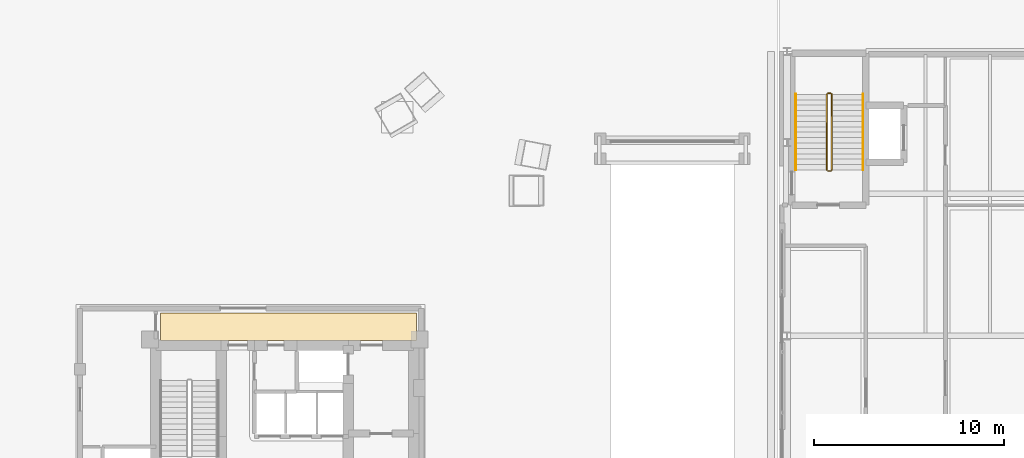
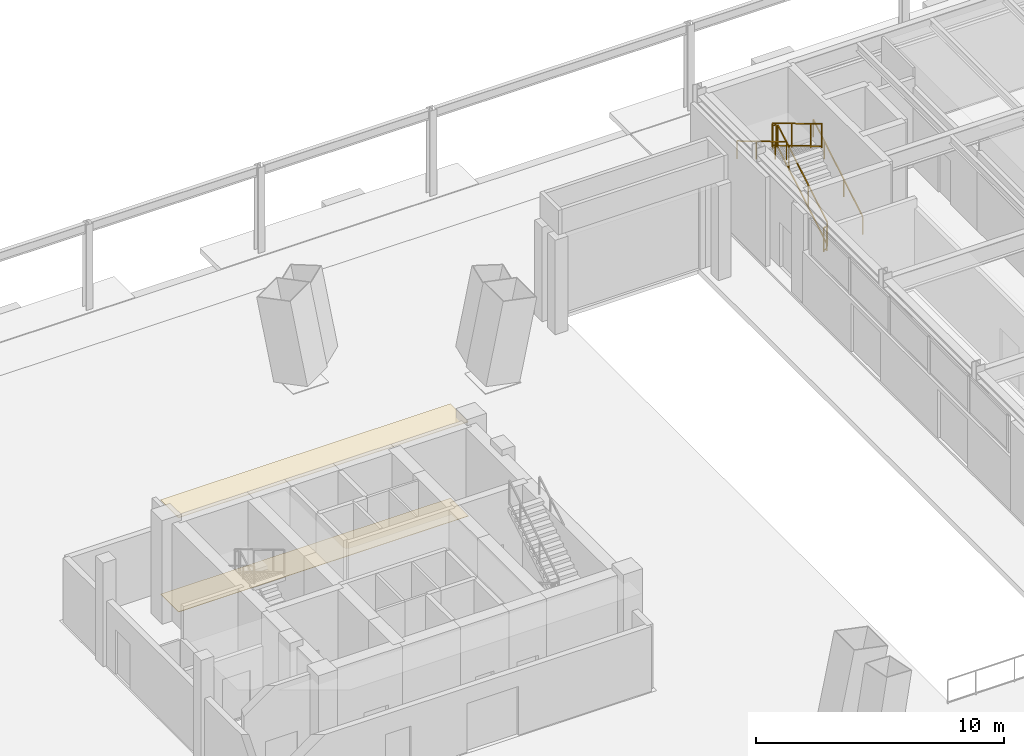
# One storey, part 20 of 21: 6 railings, 2 coverings.
"""IFC4 building model written with IfcOpenShell, lengths in metres."""

from ifc_helpers import new_model, si_unit, direction, frame, origin, origin_2d, place, context, subcontext, project, spatial, polyline, rectangle, outline, extrude, material, layer, layer_set, type_object, element, save


model = new_model("IFC4")

# Units and contexts
model_context = context("Model", 3, precision=1e-05, world=origin(), true_north=direction((0.0, 1.0)))
body_context = subcontext(model_context, "Body", "Model", "MODEL_VIEW")
ifc_project = project(units=[si_unit("LENGTHUNIT", "METRE"), si_unit("AREAUNIT", "SQUARE_METRE"), si_unit("VOLUMEUNIT", "CUBIC_METRE"), si_unit("PLANEANGLEUNIT", "RADIAN"), si_unit("MASSUNIT", "GRAM", prefix="KILO")], contexts=[model_context])

# Site, building, storey
site_placement = place(None, origin())
site = spatial("IfcSite", under=ifc_project, at=site_placement, CompositionType="ELEMENT")
building_placement = place(site_placement, origin())
building = spatial("IfcBuilding", under=site, at=building_placement, Name="Mersakhor Tower and Convention Hall", CompositionType="ELEMENT")
storey_placement = place(building_placement, origin())
storey = spatial("IfcBuildingStorey", under=building, at=storey_placement, Name="L00", CompositionType="ELEMENT", Elevation=0.0)

# Coverings
ifc_material_1 = material(Name="Acoustic mineral-fibre suspended ceiling", Category="other")
ifc_layer_1 = layer(ifc_material_1, 0.02490234375)
ifc_layer_set_1 = layer_set([ifc_layer_1], Name="Acoustic mineral-fibre suspended ceiling")
covering_type_1 = type_object("IfcCoveringType", Name="COV-CLG-25", PredefinedType="CEILING", material=ifc_layer_set_1)
covering_1_placement = place(storey_placement, frame((0.0, 0.0, 4.639892578125)))
element("IfcCovering", 1, at=covering_1_placement, inside=storey, type_object=covering_type_1, Name="L00 Tower North Plaza Entrance Vestibule Acoustic Suspended Ceiling", PredefinedType="CEILING", context=body_context, shape_type="SweptSolid", body=[
    extrude(outline(polyline([(22.449951171875, 34.449951171875), (35.949951171875, 34.449951171875), (35.949951171875, 33.0), (22.449951171875, 33.0), (22.449951171875, 34.449951171875)])), origin(), (0.0, 0.0, 1.0), 0.025146484375),
])
ifc_material_2 = material(Name="Polished porcelain tile flooring", Category="other")
ifc_layer_2 = layer(ifc_material_2, 0.02001953125)
ifc_layer_set_2 = layer_set([ifc_layer_2], Name="Polished porcelain tile flooring")
covering_type_2 = type_object("IfcCoveringType", Name="COV-FLR-20", PredefinedType="FLOORING", material=ifc_layer_set_2)
covering_2_placement = place(storey_placement, origin())
element("IfcCovering", 2, at=covering_2_placement, inside=storey, type_object=covering_type_2, Name="L00 Tower North Plaza Entrance Vestibule Porcelain Floor Finish", PredefinedType="FLOORING", context=body_context, shape_type="SweptSolid", body=[
    extrude(outline(polyline([(22.449951171875, 34.449951171875), (35.949951171875, 34.449951171875), (35.949951171875, 33.0), (22.449951171875, 33.0), (22.449951171875, 34.449951171875)])), origin(), (0.0, 0.0, 1.0), 0.02001953125),
])

# Railings
ifc_material_3 = material(Name="Brushed stainless steel handrail", Category="steel")
railing_type_1 = type_object("IfcRailingType", Name="RL-HR-900", PredefinedType="HANDRAIL", material=ifc_material_3)
railing_1_placement = place(storey_placement, frame((59.5, 42.0, 0.169921875)))
element("IfcRailing", 3, at=railing_1_placement, inside=storey, type_object=railing_type_1, Name="L00 CH-ST2 stair handrail 1", PredefinedType="HANDRAIL", context=body_context, shape_type="SweptSolid", body=[
    extrude(rectangle(XDim=0.048095703125, YDim=0.048095703125, at=origin_2d()), frame((0.0, 0.0, 0.8759765625), z_axis=(0.0, 0.858806931142, 0.512299380267), x_axis=(-1.0, 0.0, 0.0)), (0.0, 0.0, 1.0), 4.64599609375),
    extrude(rectangle(XDim=0.0419921875, YDim=0.0419921875, at=origin_2d()), origin(), (0.0, 0.0, 1.0), 0.851806640625),
    extrude(rectangle(XDim=0.0419921875, YDim=0.0419921875, at=origin_2d()), frame((0.0, 1.5458984375, 0.922119140625)), (0.0, 0.0, 1.0), 0.851806640625),
    extrude(rectangle(XDim=0.0419921875, YDim=0.0419921875, at=origin_2d()), frame((0.0, 3.091796875, 1.84423828125)), (0.0, 0.0, 1.0), 0.851806640625),
    extrude(rectangle(XDim=0.0419921875, YDim=0.0419921875, at=origin_2d()), frame((0.0, 3.989990234375, 2.380126953125)), (0.0, 0.0, 1.0), 0.851806640625),
])
railing_2_placement = place(storey_placement, frame((55.949951171875, 45.989990234375, 2.719970703125)))
element("IfcRailing", 4, at=railing_2_placement, inside=storey, type_object=railing_type_1, Name="L00 CH-ST2 stair handrail 2", PredefinedType="HANDRAIL", context=body_context, shape_type="SweptSolid", body=[
    extrude(rectangle(XDim=0.048095703125, YDim=0.048095703125, at=origin_2d()), frame((0.0, 0.0, 0.8759765625), z_axis=(0.0, -0.858806931142, 0.512299380267), x_axis=(1.0, 0.0, 0.0)), (0.0, 0.0, 1.0), 4.64599609375),
    extrude(rectangle(XDim=0.0419921875, YDim=0.0419921875, at=origin_2d()), origin(), (0.0, 0.0, 1.0), 0.851806640625),
    extrude(rectangle(XDim=0.0419921875, YDim=0.0419921875, at=origin_2d()), frame((0.0, -1.5458984375, 0.922119140625)), (0.0, 0.0, 1.0), 0.851806640625),
    extrude(rectangle(XDim=0.0419921875, YDim=0.0419921875, at=origin_2d()), frame((0.0, -3.091796875, 1.84423828125)), (0.0, 0.0, 1.0), 0.851806640625),
    extrude(rectangle(XDim=0.0419921875, YDim=0.0419921875, at=origin_2d()), frame((0.0, -3.989990234375, 2.380126953125)), (0.0, 0.0, 1.0), 0.851806640625),
])
ifc_material_4 = material(Name="Painted steel stair balustrade S355", Category="steel")
railing_type_2 = type_object("IfcRailingType", Name="RL-STG-1200", PredefinedType="BALUSTRADE", material=ifc_material_4)
railing_3_placement = place(storey_placement, frame((57.85009765625, 42.0, 0.169921875)))
element("IfcRailing", 5, at=railing_3_placement, inside=storey, type_object=railing_type_2, Name="L00 CH-ST2 stair guard 1", PredefinedType="BALUSTRADE", context=body_context, shape_type="SweptSolid", body=[
    extrude(rectangle(XDim=0.048095703125, YDim=0.048095703125, at=origin_2d()), frame((0.0, 0.0, 1.17578125), z_axis=(0.0, 0.858806931142, 0.512299380267), x_axis=(-1.0, 0.0, 0.0)), (0.0, 0.0, 1.0), 4.64599609375),
    extrude(rectangle(XDim=0.048095703125, YDim=0.048095703125, at=origin_2d()), frame((0.0, 0.0, 0.080078125), z_axis=(0.0, 0.858806931142, 0.512299380267), x_axis=(-1.0, 0.0, 0.0)), (0.0, 0.0, 1.0), 4.64599609375),
    extrude(rectangle(XDim=0.0419921875, YDim=0.0419921875, at=origin_2d()), origin(), (0.0, 0.0, 1.0), 1.15185546875),
    extrude(rectangle(XDim=0.0419921875, YDim=0.0419921875, at=origin_2d()), frame((0.0, 1.5458984375, 0.922119140625)), (0.0, 0.0, 1.0), 1.15185546875),
    extrude(rectangle(XDim=0.0419921875, YDim=0.0419921875, at=origin_2d()), frame((0.0, 3.091796875, 1.84423828125)), (0.0, 0.0, 1.0), 1.15185546875),
    extrude(rectangle(XDim=0.0419921875, YDim=0.0419921875, at=origin_2d()), frame((0.0, 3.989990234375, 2.380126953125)), (0.0, 0.0, 1.0), 1.15185546875),
])
railing_4_placement = place(storey_placement, frame((57.800048828125, 46.0400390625, 2.550048828125)))
element("IfcRailing", 6, at=railing_4_placement, inside=storey, type_object=railing_type_2, Name="L00 CH-ST2 stair guard 2", PredefinedType="BALUSTRADE", context=body_context, shape_type="SweptSolid", body=[
    extrude(rectangle(XDim=0.048095703125, YDim=0.048095703125, at=origin_2d()), frame((0.0, 0.0, 1.17578125), z_axis=(-1.0, 0.0, 0.0), x_axis=(0.0, -1.0, 0.0)), (0.0, 0.0, 1.0), 0.150146484375),
    extrude(rectangle(XDim=0.048095703125, YDim=0.048095703125, at=origin_2d()), frame((0.0, 0.0, 0.080078125), z_axis=(-1.0, 0.0, 0.0), x_axis=(0.0, -1.0, 0.0)), (0.0, 0.0, 1.0), 0.150146484375),
    extrude(rectangle(XDim=0.0419921875, YDim=0.0419921875, at=origin_2d()), origin(), (0.0, 0.0, 1.0), 1.15185546875),
    extrude(rectangle(XDim=0.0419921875, YDim=0.0419921875, at=origin_2d()), frame((-0.150146484375, 0.0, 0.0)), (0.0, 0.0, 1.0), 1.15185546875),
])
railing_5_placement = place(storey_placement, frame((57.60009765625, 45.989990234375, 2.719970703125)))
element("IfcRailing", 7, at=railing_5_placement, inside=storey, type_object=railing_type_2, Name="L00 CH-ST2 stair guard 3", PredefinedType="BALUSTRADE", context=body_context, shape_type="SweptSolid", body=[
    extrude(rectangle(XDim=0.048095703125, YDim=0.048095703125, at=origin_2d()), frame((0.0, 0.0, 1.17578125), z_axis=(0.0, -0.858806931142, 0.512299380267), x_axis=(1.0, 0.0, 0.0)), (0.0, 0.0, 1.0), 4.64599609375),
    extrude(rectangle(XDim=0.048095703125, YDim=0.048095703125, at=origin_2d()), frame((0.0, 0.0, 0.080078125), z_axis=(0.0, -0.858806931142, 0.512299380267), x_axis=(1.0, 0.0, 0.0)), (0.0, 0.0, 1.0), 4.64599609375),
    extrude(rectangle(XDim=0.0419921875, YDim=0.0419921875, at=origin_2d()), origin(), (0.0, 0.0, 1.0), 1.15185546875),
    extrude(rectangle(XDim=0.0419921875, YDim=0.0419921875, at=origin_2d()), frame((0.0, -1.5458984375, 0.922119140625)), (0.0, 0.0, 1.0), 1.15185546875),
    extrude(rectangle(XDim=0.0419921875, YDim=0.0419921875, at=origin_2d()), frame((0.0, -3.091796875, 1.84423828125)), (0.0, 0.0, 1.0), 1.15185546875),
    extrude(rectangle(XDim=0.0419921875, YDim=0.0419921875, at=origin_2d()), frame((0.0, -3.989990234375, 2.380126953125)), (0.0, 0.0, 1.0), 1.15185546875),
])
railing_6_placement = place(storey_placement, frame((57.800048828125, 41.949951171875, 0.0)))
element("IfcRailing", 8, at=railing_6_placement, inside=storey, type_object=railing_type_2, Name="L00 CH-ST2 stair guard 4", PredefinedType="BALUSTRADE", context=body_context, shape_type="SweptSolid", body=[
    extrude(rectangle(XDim=0.048095703125, YDim=0.048095703125, at=origin_2d()), frame((0.0, 0.0, 1.17578125), z_axis=(-1.0, 0.0, 0.0), x_axis=(0.0, -1.0, 0.0)), (0.0, 0.0, 1.0), 0.150146484375),
    extrude(rectangle(XDim=0.048095703125, YDim=0.048095703125, at=origin_2d()), frame((0.0, 0.0, 0.080078125), z_axis=(-1.0, 0.0, 0.0), x_axis=(0.0, -1.0, 0.0)), (0.0, 0.0, 1.0), 0.150146484375),
    extrude(rectangle(XDim=0.0419921875, YDim=0.0419921875, at=origin_2d()), origin(), (0.0, 0.0, 1.0), 1.15185546875),
    extrude(rectangle(XDim=0.0419921875, YDim=0.0419921875, at=origin_2d()), frame((-0.150146484375, 0.0, 0.0)), (0.0, 0.0, 1.0), 1.15185546875),
])

save(model, "model.ifc")
